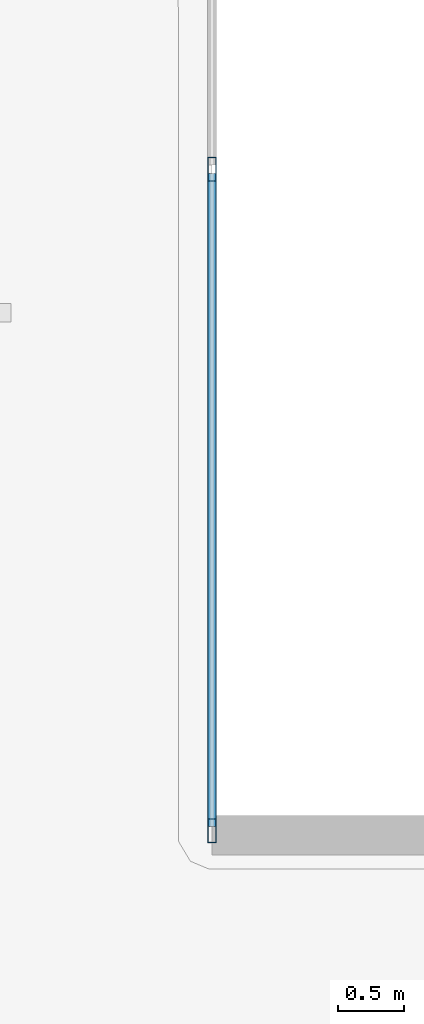
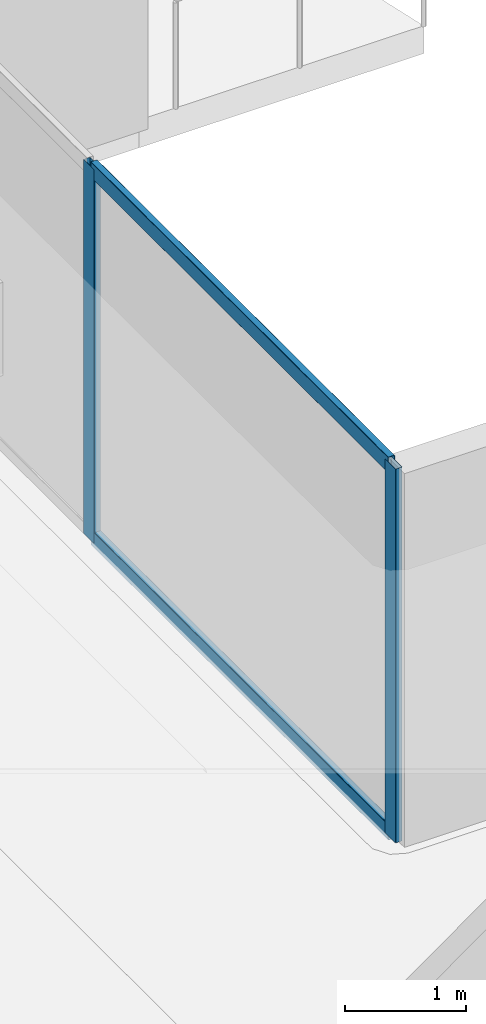
# One storey, part 13 of 45: 4 members, 1 element without a shape of its own.
"""IFC4 building model written with IfcOpenShell, lengths in metres."""

from ifc_helpers import new_model, si_unit, direction, frame, origin, origin_2d, place, context, subcontext, project, spatial, hollow_rectangle, extrude, material, layer, layer_set, material_profile, profile_set, type_object, element, aggregate, save


model = new_model("IFC4")

# Units and contexts
model_context = context("Model", 3, precision=1e-05, world=origin(), true_north=direction((0.0, 1.0)))
body_context = subcontext(model_context, "Body", "Model", "MODEL_VIEW")
ifc_project = project(units=[si_unit("LENGTHUNIT", "METRE"), si_unit("AREAUNIT", "SQUARE_METRE"), si_unit("VOLUMEUNIT", "CUBIC_METRE"), si_unit("PLANEANGLEUNIT", "RADIAN"), si_unit("MASSUNIT", "GRAM", prefix="KILO")], contexts=[model_context])

# Site, building, storey
site_placement = place(None, origin())
site = spatial("IfcSite", under=ifc_project, at=site_placement, CompositionType="ELEMENT")
building_placement = place(site_placement, origin())
building = spatial("IfcBuilding", under=site, at=building_placement, Name="Qorvath Tower", CompositionType="ELEMENT")
storey_placement = place(building_placement, frame((0.0, 0.0, 109.800048828125)))
storey = spatial("IfcBuildingStorey", under=building, at=storey_placement, Name="L24", CompositionType="ELEMENT", Elevation=109.800048828125)

# Curtain wall, members
ifc_material_1 = material(Name="Anodised aluminium and triple low-E glass", Category="aluminium")
ifc_layer = layer(ifc_material_1, 0.179931640625)
ifc_layer_set = layer_set([ifc_layer], Name="CW-SYS-2")
curtain_wall_type = type_object("IfcCurtainWallType", Name="CW-SYS-2", PredefinedType="NOTDEFINED", material=ifc_layer_set)
curtain_wall_placement = place(storey_placement, origin())
curtain_wall = element("IfcCurtainWall", 1, at=curtain_wall_placement, inside=storey, type_object=curtain_wall_type, Name="Curtain Wall CW-2 CW-T-L24-9.1", PredefinedType="NOTDEFINED")
ifc_material_2 = material(Name="Anodised aluminium 6063-T6", Category="aluminium")
ifc_material_profile_1 = material_profile(ifc_material_2, hollow_rectangle(XDim=0.06494140625, YDim=0.179931640625, WallThickness=0.00341796875, InnerFilletRadius=0.00341796875, OuterFilletRadius=0.007080078125, at=origin_2d()), Name="CWM 180x65")
ifc_profile_set_1 = profile_set([ifc_material_profile_1], Name="Anodised aluminium 6063-T6")
member_type_1 = type_object("IfcMemberType", Name="CWM-180", PredefinedType="MULLION", material=ifc_profile_set_1)
member_1_placement = place(storey_placement, frame((1.648681640625, -4.978759765625, 0.0), z_axis=(0.0, 0.0, 1.0), x_axis=(-1.0, 0.0, 0.0)))
member_1 = element("IfcMember", 2, at=member_1_placement, type_object=member_type_1, Name="CW-2 mullion 1", PredefinedType="MULLION", context=body_context, shape_type="SweptSolid", body=[
    extrude(hollow_rectangle(XDim=0.06494140625, YDim=0.179931640625, WallThickness=0.00341796875, InnerFilletRadius=0.00341796875, OuterFilletRadius=0.007080078125, at=origin_2d()), origin(), (0.0, 0.0, 1.0), 3.77001953125),
])
member_2_placement = place(storey_placement, frame((1.648681640625, 0.0, 0.0), z_axis=(0.0, 0.0, 1.0), x_axis=(-1.0, 0.0, 0.0)))
member_2 = element("IfcMember", 3, at=member_2_placement, type_object=member_type_1, Name="CW-2 mullion 2", PredefinedType="MULLION", context=body_context, shape_type="SweptSolid", body=[
    extrude(hollow_rectangle(XDim=0.06494140625, YDim=0.179931640625, WallThickness=0.00341796875, InnerFilletRadius=0.00341796875, OuterFilletRadius=0.007080078125, at=origin_2d()), origin(), (0.0, 0.0, 1.0), 3.77001953125),
])
ifc_material_3 = material(Name="Anodised aluminium 6063-T6", Category="aluminium")
ifc_material_profile_2 = material_profile(ifc_material_3, hollow_rectangle(XDim=0.06494140625, YDim=0.159912109375, WallThickness=0.00341796875, InnerFilletRadius=0.00341796875, OuterFilletRadius=0.007080078125, at=origin_2d()), Name="CWT 160x65")
ifc_profile_set_2 = profile_set([ifc_material_profile_2], Name="Anodised aluminium 6063-T6")
member_type_2 = type_object("IfcMemberType", Name="CWT-160", PredefinedType="USERDEFINED", material=ifc_profile_set_2)
member_3_placement = place(storey_placement, frame((1.648681640625, -4.9462890625, 0.032470703125), z_axis=(0.0, 1.0, 0.0), x_axis=(-1.0, 0.0, 0.0)))
member_3 = element("IfcMember", 4, at=member_3_placement, type_object=member_type_2, Name="CW-2 transom 1.1", ObjectType="TRANSOM", PredefinedType="USERDEFINED", context=body_context, shape_type="SweptSolid", body=[
    extrude(hollow_rectangle(XDim=0.06494140625, YDim=0.159912109375, WallThickness=0.00341796875, InnerFilletRadius=0.00341796875, OuterFilletRadius=0.007080078125, at=origin_2d()), origin(), (0.0, 0.0, 1.0), 4.913818359375),
])
member_4_placement = place(storey_placement, frame((1.648681640625, -4.9462890625, 3.737548828125), z_axis=(0.0, 1.0, 0.0), x_axis=(-1.0, 0.0, 0.0)))
member_4 = element("IfcMember", 5, at=member_4_placement, type_object=member_type_2, Name="CW-2 transom 1.2", ObjectType="TRANSOM", PredefinedType="USERDEFINED", context=body_context, shape_type="SweptSolid", body=[
    extrude(hollow_rectangle(XDim=0.06494140625, YDim=0.159912109375, WallThickness=0.00341796875, InnerFilletRadius=0.00341796875, OuterFilletRadius=0.007080078125, at=origin_2d()), origin(), (0.0, 0.0, 1.0), 4.913818359375),
])
aggregate(curtain_wall, [member_1, member_2, member_3, member_4])

save(model, "model.ifc")
